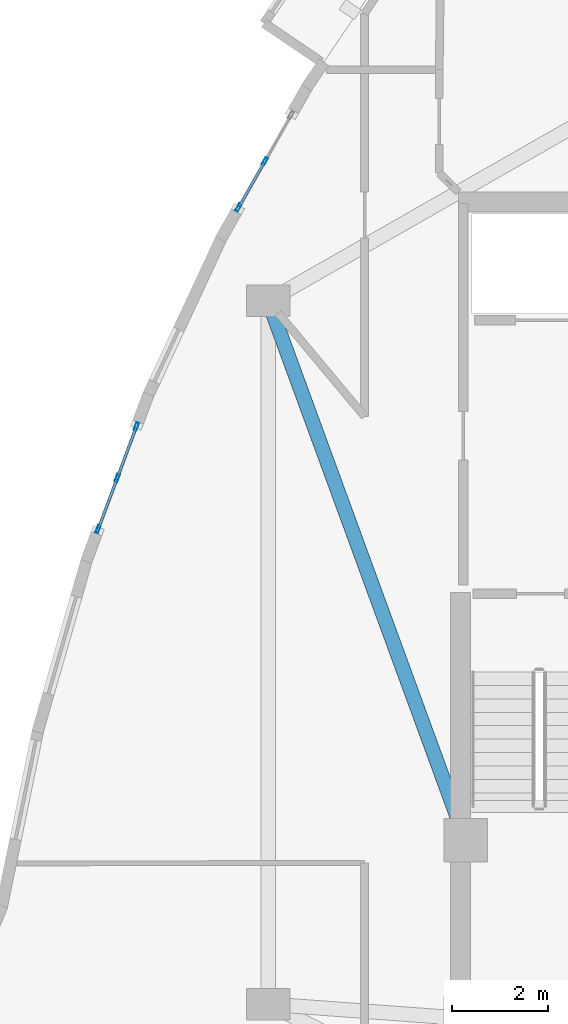
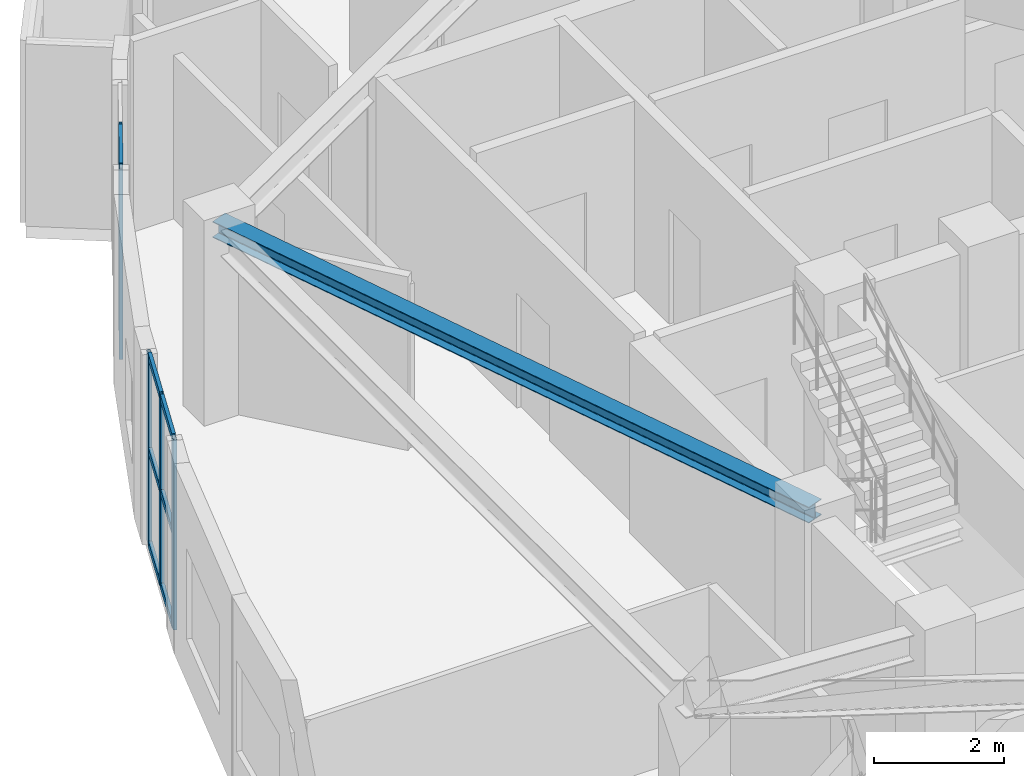
# One storey, part 4 of 16: 14 members, 1 beam, 2 elements without a shape of their own.
"""IFC4 building model written with IfcOpenShell, lengths in metres."""

from ifc_helpers import new_model, si_unit, direction, frame, origin, origin_2d, place, context, subcontext, project, spatial, hollow_rectangle, i_section, extrude, material, layer, layer_set, material_profile, profile_set, type_object, element, aggregate, save


model = new_model("IFC4")

# Units and contexts
model_context = context("Model", 3, precision=1e-05, world=origin(), true_north=direction((0.0, 1.0)))
body_context = subcontext(model_context, "Body", "Model", "MODEL_VIEW")
ifc_project = project(units=[si_unit("LENGTHUNIT", "METRE"), si_unit("AREAUNIT", "SQUARE_METRE"), si_unit("VOLUMEUNIT", "CUBIC_METRE"), si_unit("PLANEANGLEUNIT", "RADIAN"), si_unit("MASSUNIT", "GRAM", prefix="KILO")], contexts=[model_context])

# Site, building, storey
site_placement = place(None, origin())
site = spatial("IfcSite", under=ifc_project, at=site_placement, CompositionType="ELEMENT")
building_placement = place(site_placement, origin())
building = spatial("IfcBuilding", under=site, at=building_placement, Name="Miruveldt Soraemaru", CompositionType="ELEMENT")
storey_placement = place(building_placement, frame((0.0, 0.0, 271.25)))
storey = spatial("IfcBuildingStorey", under=building, at=storey_placement, Name="L74", CompositionType="ELEMENT", Elevation=271.25)

# Beam
ifc_material_1 = material(Name="Steel SM355 (355 MPa)", Category="steel")
ifc_material_profile_1 = material_profile(ifc_material_1, i_section(OverallWidth=0.300048828125, OverallDepth=0.300048828125, WebThickness=0.010009765625, FlangeThickness=0.014892578125, FilletRadius=0.01806640625, at=origin_2d()), Name="Steel SM355 (355 MPa)", Category="steel")
ifc_profile_set_1 = profile_set([ifc_material_profile_1], Name="Steel SM355 (355 MPa)")
beam_type = type_object("IfcBeamType", Name="BM-LNT-H300", PredefinedType="LINTEL", material=ifc_profile_set_1)
beam_placement = place(storey_placement, frame((31.39990234375, 50.39990234375, 3.4150390625), z_axis=(0.343770424598, -0.939053723262, 0.0), x_axis=(0.939053723262, 0.343770424598, 0.0)))
element("IfcBeam", 1, at=beam_placement, inside=storey, type_object=beam_type, Name="L74 West Lobby Lintel", PredefinedType="LINTEL", context=body_context, shape_type="SweptSolid", body=[
    extrude(i_section(OverallWidth=0.300048828125, OverallDepth=0.300048828125, WebThickness=0.010009765625, FlangeThickness=0.014892578125, FilletRadius=0.01806640625, at=origin_2d()), origin(), (0.0, 0.0, 1.0), 11.9267578125),
])

# Curtain wall, members
ifc_material_2 = material(Name="Anodised aluminium EN AW-6063 T6", Category="aluminium")
ifc_layer = layer(ifc_material_2, 0.1650390625, Name="Anodised aluminium EN AW-6063 T6", Category="aluminium")
ifc_layer_set = layer_set([ifc_layer], Name="Anodised aluminium EN AW-6063 T6")
curtain_wall_type = type_object("IfcCurtainWallType", Name="CW-SYS-5", PredefinedType="USERDEFINED", material=ifc_layer_set)
curtain_wall_1_placement = place(storey_placement, origin())
curtain_wall_1 = element("IfcCurtainWall", 2, at=curtain_wall_1_placement, inside=storey, type_object=curtain_wall_type, Name="L74 Curtain Wall Bay 10", ObjectType="UNITISED GLAZING", PredefinedType="USERDEFINED")
ifc_material_profile_2 = material_profile(ifc_material_2, hollow_rectangle(XDim=0.06005859375, YDim=0.1650390625, WallThickness=0.00390625, at=origin_2d()), Name="Anodised aluminium EN AW-6063 T6", Category="aluminium")
ifc_profile_set_2 = profile_set([ifc_material_profile_2], Name="Anodised aluminium EN AW-6063 T6")
member_type_1 = type_object("IfcMemberType", Name="CWM-5", PredefinedType="MULLION", material=ifc_profile_set_2)
member_1_placement = place(storey_placement, frame((31.32958984375, 53.29736328125, 0.0), z_axis=(0.0, 0.0, 1.0), x_axis=(0.869831989539, -0.493348061691, 0.0)))
member_1 = element("IfcMember", 3, at=member_1_placement, type_object=member_type_1, Name="CW-5 mullion 2", PredefinedType="MULLION", context=body_context, shape_type="SweptSolid", body=[
    extrude(hollow_rectangle(XDim=0.06005859375, YDim=0.1650390625, WallThickness=0.00390625, at=origin_2d()), origin(), (0.0, 0.0, 1.0), 3.56494140625),
])
member_2_placement = place(storey_placement, frame((30.7841796875, 52.335693359375, 0.0), z_axis=(0.0, 0.0, 1.0), x_axis=(0.869831989539, -0.493348061691, 0.0)))
member_2 = element("IfcMember", 4, at=member_2_placement, type_object=member_type_1, Name="CW-5 mullion 3", PredefinedType="MULLION", context=body_context, shape_type="SweptSolid", body=[
    extrude(hollow_rectangle(XDim=0.06005859375, YDim=0.1650390625, WallThickness=0.00390625, at=origin_2d()), origin(), (0.0, 0.0, 1.0), 3.56494140625),
])

curtain_wall_2_placement = place(storey_placement, origin())
curtain_wall_2 = element("IfcCurtainWall", 5, at=curtain_wall_2_placement, inside=storey, type_object=curtain_wall_type, Name="L74 Curtain Wall Bay 12", ObjectType="UNITISED GLAZING", PredefinedType="USERDEFINED")
member_3_placement = place(storey_placement, frame((28.6640625, 47.793701171875, 0.0), z_axis=(0.0, 0.0, 1.0), x_axis=(0.937107639155, -0.349040502861, 0.0)))
member_3 = element("IfcMember", 6, at=member_3_placement, type_object=member_type_1, Name="CW-5 mullion 1", PredefinedType="MULLION", context=body_context, shape_type="SweptSolid", body=[
    extrude(hollow_rectangle(XDim=0.06005859375, YDim=0.1650390625, WallThickness=0.00390625, at=origin_2d()), origin(), (0.0, 0.0, 1.0), 3.56494140625),
])
member_4_placement = place(storey_placement, frame((28.266845703125, 46.726806640625, 0.0), z_axis=(0.0, 0.0, 1.0), x_axis=(0.937107639155, -0.349040502861, 0.0)))
member_4 = element("IfcMember", 7, at=member_4_placement, type_object=member_type_1, Name="CW-5 mullion 2", PredefinedType="MULLION", context=body_context, shape_type="SweptSolid", body=[
    extrude(hollow_rectangle(XDim=0.06005859375, YDim=0.1650390625, WallThickness=0.00390625, at=origin_2d()), origin(), (0.0, 0.0, 1.0), 3.56494140625),
])
member_5_placement = place(storey_placement, frame((27.869384765625, 45.659912109375, 0.0), z_axis=(0.0, 0.0, 1.0), x_axis=(0.937107639155, -0.349040502861, 0.0)))
member_5 = element("IfcMember", 8, at=member_5_placement, type_object=member_type_1, Name="CW-5 mullion 3", PredefinedType="MULLION", context=body_context, shape_type="SweptSolid", body=[
    extrude(hollow_rectangle(XDim=0.06005859375, YDim=0.1650390625, WallThickness=0.00390625, at=origin_2d()), origin(), (0.0, 0.0, 1.0), 3.56494140625),
])

# Member
ifc_material_profile_3 = material_profile(ifc_material_2, hollow_rectangle(XDim=0.06005859375, YDim=0.1298828125, WallThickness=0.00390625, at=origin_2d()), Name="Anodised aluminium EN AW-6063 T6", Category="aluminium")
ifc_profile_set_3 = profile_set([ifc_material_profile_3], Name="Anodised aluminium EN AW-6063 T6")
member_type_2 = type_object("IfcMemberType", Name="CWT-5", PredefinedType="USERDEFINED", material=ifc_profile_set_3)
member_6_placement = place(storey_placement, frame((31.31494140625, 53.271240234375, 0.030029296875), z_axis=(-0.493395479822, -0.869805093392, 0.0), x_axis=(0.869805093392, -0.493395479822, 0.0)))
member_6 = element("IfcMember", 9, at=member_6_placement, type_object=member_type_2, Name="CW-5 transom 2.1", ObjectType="TRANSOM", PredefinedType="USERDEFINED", context=body_context, shape_type="SweptSolid", body=[
    extrude(hollow_rectangle(XDim=0.06005859375, YDim=0.1298828125, WallThickness=0.00390625, at=origin_2d()), origin(), (0.0, 0.0, 1.0), 1.045654296875),
])

member_7_placement = place(storey_placement, frame((31.31494140625, 53.271240234375, 1.782470703125), z_axis=(-0.493395479822, -0.869805093392, 0.0), x_axis=(0.869805093392, -0.493395479822, 0.0)))
member_7 = element("IfcMember", 10, at=member_7_placement, type_object=member_type_2, Name="CW-5 transom 2.2", ObjectType="TRANSOM", PredefinedType="USERDEFINED", context=body_context, shape_type="SweptSolid", body=[
    extrude(hollow_rectangle(XDim=0.06005859375, YDim=0.1298828125, WallThickness=0.00390625, at=origin_2d()), origin(), (0.0, 0.0, 1.0), 1.045654296875),
])

member_8_placement = place(storey_placement, frame((31.31494140625, 53.271240234375, 3.534912109375), z_axis=(-0.493395479822, -0.869805093392, 0.0), x_axis=(0.869805093392, -0.493395479822, 0.0)))
member_8 = element("IfcMember", 11, at=member_8_placement, type_object=member_type_2, Name="CW-5 transom 2.3", ObjectType="TRANSOM", PredefinedType="USERDEFINED", context=body_context, shape_type="SweptSolid", body=[
    extrude(hollow_rectangle(XDim=0.06005859375, YDim=0.1298828125, WallThickness=0.00390625, at=origin_2d()), origin(), (0.0, 0.0, 1.0), 1.045654296875),
])

aggregate(curtain_wall_1, [member_1, member_2, member_6, member_7, member_8])

member_9_placement = place(storey_placement, frame((28.653564453125, 47.765625, 0.030029296875), z_axis=(-0.349112921393, -0.937080662545, 0.0), x_axis=(0.937080662545, -0.349112921393, 0.0)))
member_9 = element("IfcMember", 12, at=member_9_placement, type_object=member_type_2, Name="CW-5 transom 1.1", ObjectType="TRANSOM", PredefinedType="USERDEFINED", context=body_context, shape_type="SweptSolid", body=[
    extrude(hollow_rectangle(XDim=0.06005859375, YDim=0.1298828125, WallThickness=0.00390625, at=origin_2d()), origin(), (0.0, 0.0, 1.0), 1.078369140625),
])

member_10_placement = place(storey_placement, frame((28.653564453125, 47.765625, 1.782470703125), z_axis=(-0.349112921393, -0.937080662545, 0.0), x_axis=(0.937080662545, -0.349112921393, 0.0)))
member_10 = element("IfcMember", 13, at=member_10_placement, type_object=member_type_2, Name="CW-5 transom 1.2", ObjectType="TRANSOM", PredefinedType="USERDEFINED", context=body_context, shape_type="SweptSolid", body=[
    extrude(hollow_rectangle(XDim=0.06005859375, YDim=0.1298828125, WallThickness=0.00390625, at=origin_2d()), origin(), (0.0, 0.0, 1.0), 1.078369140625),
])

member_11_placement = place(storey_placement, frame((28.653564453125, 47.765625, 3.534912109375), z_axis=(-0.349112921393, -0.937080662545, 0.0), x_axis=(0.937080662545, -0.349112921393, 0.0)))
member_11 = element("IfcMember", 14, at=member_11_placement, type_object=member_type_2, Name="CW-5 transom 1.3", ObjectType="TRANSOM", PredefinedType="USERDEFINED", context=body_context, shape_type="SweptSolid", body=[
    extrude(hollow_rectangle(XDim=0.06005859375, YDim=0.1298828125, WallThickness=0.00390625, at=origin_2d()), origin(), (0.0, 0.0, 1.0), 1.078369140625),
])

member_12_placement = place(storey_placement, frame((28.25634765625, 46.69873046875, 0.030029296875), z_axis=(-0.349112921393, -0.937080662545, 0.0), x_axis=(0.937080662545, -0.349112921393, 0.0)))
member_12 = element("IfcMember", 15, at=member_12_placement, type_object=member_type_2, Name="CW-5 transom 2.1", ObjectType="TRANSOM", PredefinedType="USERDEFINED", context=body_context, shape_type="SweptSolid", body=[
    extrude(hollow_rectangle(XDim=0.06005859375, YDim=0.1298828125, WallThickness=0.00390625, at=origin_2d()), origin(), (0.0, 0.0, 1.0), 1.078369140625),
])

member_13_placement = place(storey_placement, frame((28.25634765625, 46.69873046875, 1.782470703125), z_axis=(-0.349112921393, -0.937080662545, 0.0), x_axis=(0.937080662545, -0.349112921393, 0.0)))
member_13 = element("IfcMember", 16, at=member_13_placement, type_object=member_type_2, Name="CW-5 transom 2.2", ObjectType="TRANSOM", PredefinedType="USERDEFINED", context=body_context, shape_type="SweptSolid", body=[
    extrude(hollow_rectangle(XDim=0.06005859375, YDim=0.1298828125, WallThickness=0.00390625, at=origin_2d()), origin(), (0.0, 0.0, 1.0), 1.078369140625),
])

member_14_placement = place(storey_placement, frame((28.25634765625, 46.69873046875, 3.534912109375), z_axis=(-0.349112921393, -0.937080662545, 0.0), x_axis=(0.937080662545, -0.349112921393, 0.0)))
member_14 = element("IfcMember", 17, at=member_14_placement, type_object=member_type_2, Name="CW-5 transom 2.3", ObjectType="TRANSOM", PredefinedType="USERDEFINED", context=body_context, shape_type="SweptSolid", body=[
    extrude(hollow_rectangle(XDim=0.06005859375, YDim=0.1298828125, WallThickness=0.00390625, at=origin_2d()), origin(), (0.0, 0.0, 1.0), 1.078369140625),
])

aggregate(curtain_wall_2, [member_3, member_4, member_5, member_9, member_10, member_11, member_12, member_13, member_14])

save(model, "model.ifc")
